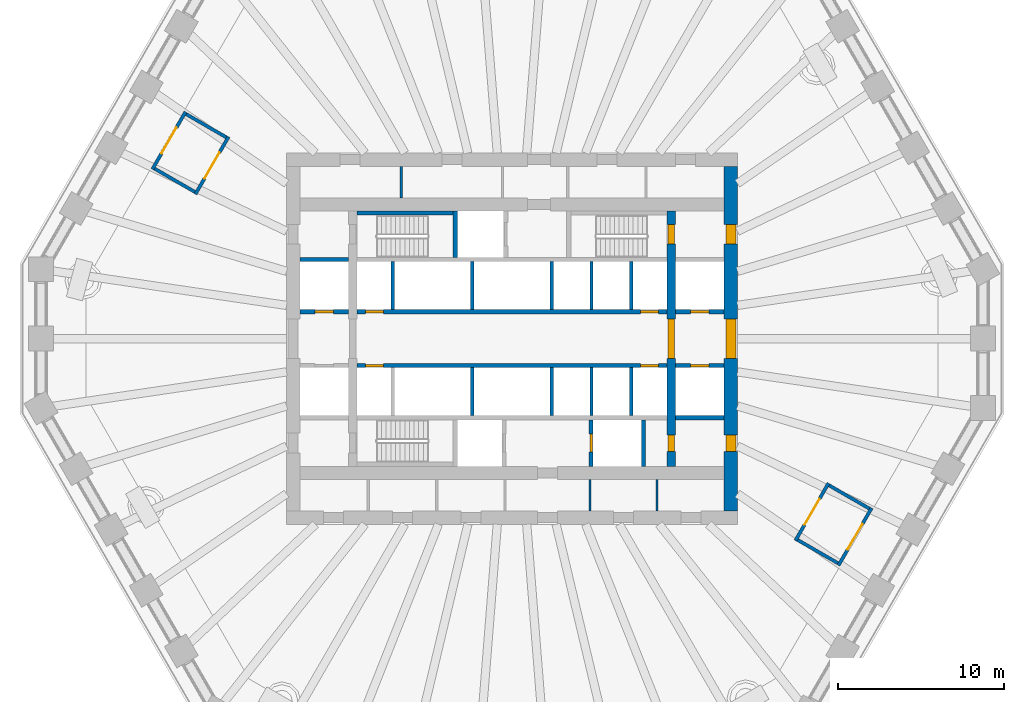
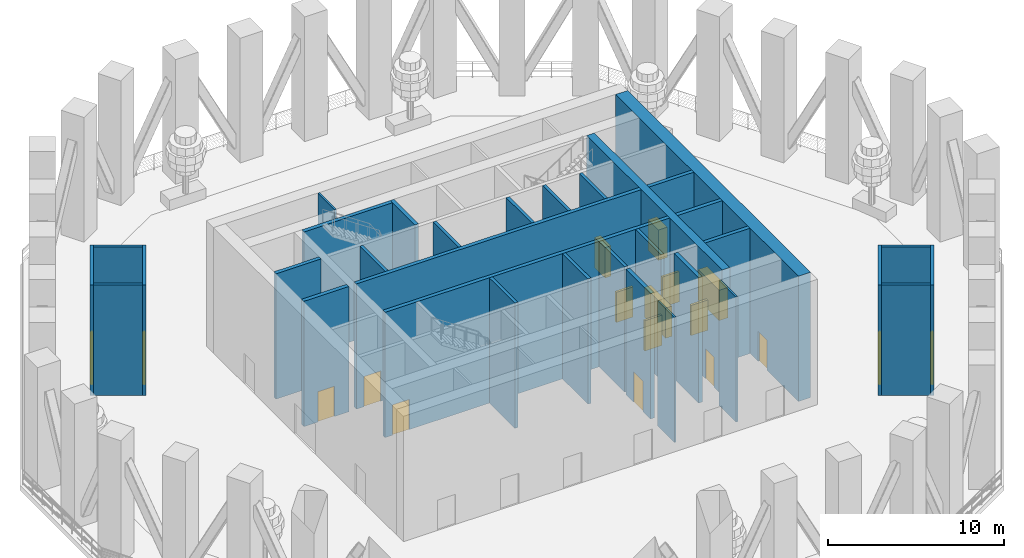
# One storey, part 4 of 10: 33 walls, 18 doors, 18 openings.
"""IFC4 building model written with IfcOpenShell, lengths in metres."""

from ifc_helpers import new_model, si_unit, direction, frame, frame_2d, origin, place, context, subcontext, project, spatial, rectangle, extrude, material, layer, layer_set, type_object, element, fill, save


model = new_model("IFC4")

# Units and contexts
model_context = context("Model", 3, precision=1e-05, world=origin(), true_north=direction((0.0, 1.0)))
body_context = subcontext(model_context, "Body", "Model", "MODEL_VIEW")
ifc_project = project(units=[si_unit("LENGTHUNIT", "METRE"), si_unit("AREAUNIT", "SQUARE_METRE"), si_unit("VOLUMEUNIT", "CUBIC_METRE"), si_unit("PLANEANGLEUNIT", "RADIAN"), si_unit("MASSUNIT", "GRAM", prefix="KILO")], contexts=[model_context])

# Site, building, storey
site_placement = place(None, origin())
site = spatial("IfcSite", under=ifc_project, at=site_placement, CompositionType="ELEMENT")
building_placement = place(site_placement, origin())
building = spatial("IfcBuilding", under=site, at=building_placement, Name="Frailejon Research Tower", CompositionType="ELEMENT")
storey_placement = place(building_placement, frame((0.0, 0.0, 71.800048828125)))
storey = spatial("IfcBuildingStorey", under=building, at=storey_placement, Name="L16", CompositionType="ELEMENT", Elevation=71.800048828125)

# Walls
ifc_material_1 = material(Name="Plasterboard on steel studs", Category="steel")
ifc_layer_1 = layer(ifc_material_1, 0.125)
ifc_layer_set_1 = layer_set([ifc_layer_1], Name="Core partition 125")
wall_type_1 = type_object("IfcWallType", Name="Core partition 125", PredefinedType="PARTITIONING", material=ifc_layer_set_1)
for number, where, z_axis, x_axis, name in (
    (1, (-6.68115234375, 8.5, 0.0), (0.0, 0.0, 1.0), (0.0, 1.0, 0.0), "Core partition"),
    (2, (4.71240234375, -10.39990234375, 0.0), (0.0, 0.0, 1.0), (0.0, 1.0, 0.0), "Core partition"),
    (3, (8.756103515625, -10.39990234375, 0.0), (0.0, 0.0, 1.0), (0.0, 1.0, 0.0), "Core partition"),
):
    element("IfcWall", number, at=place(storey_placement, frame(where, z_axis=z_axis, x_axis=x_axis)), inside=storey, type_object=wall_type_1, Name=name, PredefinedType="PARTITIONING", context=body_context, shape_type="SweptSolid", body=[
        extrude(rectangle(XDim=1.89990234375, YDim=0.125, at=frame_2d((0.949951171875, 0.0))), origin(), (0.0, 0.0, 1.0), 8.699951171875),
    ])

# Wall, openings, doors
ifc_material_2 = material(Name="Concrete C70/85", Category="concrete")
ifc_layer_2 = layer(ifc_material_2, 0.5)
ifc_layer_set_2 = layer_set([ifc_layer_2], Name="Core shear wall 500 C70/85")
wall_type_2 = type_object("IfcWallType", Name="Core shear wall 500 C70/85", PredefinedType="SHEAR", material=ifc_layer_set_2)
wall_1_placement = place(storey_placement, frame((9.60009765625, -7.699951171875, 0.0), z_axis=(0.0, 0.0, 1.0), x_axis=(0.0, 1.0, 0.0)))
wall_1 = element("IfcWall", 4, at=wall_1_placement, inside=storey, type_object=wall_type_2, Name="Core shear wall", PredefinedType="SHEAR", context=body_context, shape_type="SweptSolid", body=[
    extrude(rectangle(XDim=15.39990234375, YDim=0.5, at=frame_2d((7.699951171875, 0.0))), origin(), (0.0, 0.0, 1.0), 8.699951171875),
])
opening_1_placement = place(wall_1_placement, frame((6.5, 0.0, 0.0)))
opening_1 = element("IfcOpeningElement", 5, at=opening_1_placement, cuts=wall_1, Name="Opening D2", PredefinedType="OPENING", context=body_context, shape_type="SweptSolid", body=[
    extrude(rectangle(XDim=2.39990234375, YDim=2.10009765625, at=frame_2d((1.199951171875, 1.050048828125))), frame((0.0, 0.260009765625, 0.0), z_axis=(0.0, -1.0, 0.0), x_axis=(1.0, 0.0, 0.0)), (0.0, 0.0, 1.0), 0.52001953125),
])
opening_2_placement = place(wall_1_placement, frame((13.39990234375, 0.0, 0.0)))
opening_2 = element("IfcOpeningElement", 6, at=opening_2_placement, cuts=wall_1, Name="Opening D1", PredefinedType="OPENING", context=body_context, shape_type="SweptSolid", body=[
    extrude(rectangle(XDim=1.199951171875, YDim=2.10009765625, at=frame_2d((0.60009765625, 1.050048828125))), frame((0.0, 0.260009765625, 0.0), z_axis=(0.0, -1.0, 0.0), x_axis=(1.0, 0.0, 0.0)), (0.0, 0.0, 1.0), 0.52001953125),
])
opening_3_placement = place(wall_1_placement, frame((0.89990234375, 0.0, 0.0)))
opening_3 = element("IfcOpeningElement", 7, at=opening_3_placement, cuts=wall_1, Name="Opening D4", PredefinedType="OPENING", context=body_context, shape_type="SweptSolid", body=[
    extrude(rectangle(XDim=1.0, YDim=2.10009765625, at=frame_2d((0.5, 1.050048828125))), frame((0.0, 0.260009765625, 0.0), z_axis=(0.0, -1.0, 0.0), x_axis=(1.0, 0.0, 0.0)), (0.0, 0.0, 1.0), 0.52001953125),
])
ifc_material_3 = material(Name="Steel", Category="steel")
door_type_1 = type_object("IfcDoorType", Name="Lobby double door", OperationType="DOUBLE_DOOR_SINGLE_SWING", PredefinedType="DOOR", material=ifc_material_3)
door_1_placement = place(opening_1_placement, origin())
door_1 = element("IfcDoor", 8, at=door_1_placement, inside=storey, type_object=door_type_1, Name="Lobby door", OperationType="DOUBLE_DOOR_SINGLE_SWING", OverallHeight=2.10009765625, OverallWidth=2.39990234375, PredefinedType="DOOR", context=body_context, shape_type="SweptSolid", body=[
    extrude(rectangle(XDim=2.39990234375, YDim=2.10009765625, at=frame_2d((1.199951171875, 1.050048828125))), frame((0.0, 0.199951171875, 0.0), z_axis=(0.0, -1.0, 0.0), x_axis=(1.0, 0.0, 0.0)), (0.0, 0.0, 1.0), 0.39990234375),
])
fill(opening_1, door_1)
ifc_material_4 = material(Name="Steel", Category="steel")
door_type_2 = type_object("IfcDoorType", Name="Service door", OperationType="SINGLE_SWING_LEFT", PredefinedType="DOOR", material=ifc_material_4)
door_2_placement = place(opening_3_placement, origin())
door_2 = element("IfcDoor", 9, at=door_2_placement, inside=storey, type_object=door_type_2, Name="Riser door", OperationType="SINGLE_SWING_RIGHT", OverallHeight=2.10009765625, OverallWidth=1.0, PredefinedType="DOOR", context=body_context, shape_type="SweptSolid", body=[
    extrude(rectangle(XDim=1.0, YDim=2.10009765625, at=frame_2d((0.5, 1.050048828125))), frame((0.0, 0.199951171875, 0.0), z_axis=(0.0, -1.0, 0.0), x_axis=(1.0, 0.0, 0.0)), (0.0, 0.0, 1.0), 0.39990234375),
])
fill(opening_3, door_2)
ifc_material_5 = material(Name="Steel", Category="steel")
door_type_3 = type_object("IfcDoorType", Name="Stair door", OperationType="SINGLE_SWING_LEFT", PredefinedType="DOOR", material=ifc_material_5)
door_3_placement = place(opening_2_placement, origin())
door_3 = element("IfcDoor", 10, at=door_3_placement, inside=storey, type_object=door_type_3, Name="Stair door ST3", OperationType="SINGLE_SWING_RIGHT", OverallHeight=2.10009765625, OverallWidth=1.199951171875, PredefinedType="DOOR", context=body_context, shape_type="SweptSolid", body=[
    extrude(rectangle(XDim=1.199951171875, YDim=2.10009765625, at=frame_2d((0.60009765625, 1.050048828125))), frame((0.0, 0.199951171875, 0.0), z_axis=(0.0, -1.0, 0.0), x_axis=(1.0, 0.0, 0.0)), (0.0, 0.0, 1.0), 0.39990234375),
])
fill(opening_2, door_3)

ifc_material_6 = material(Name="Concrete C70/85", Category="concrete")
ifc_layer_3 = layer(ifc_material_6, 0.800048828125)
ifc_layer_set_3 = layer_set([ifc_layer_3], Name="Core shear wall 800 C70/85")
wall_type_3 = type_object("IfcWallType", Name="Core shear wall 800 C70/85", PredefinedType="SHEAR", material=ifc_layer_set_3)
wall_2_placement = place(storey_placement, frame((13.199951171875, -10.39990234375, 0.0), z_axis=(0.0, 0.0, 1.0), x_axis=(0.0, 1.0, 0.0)))
wall_2 = element("IfcWall", 11, at=wall_2_placement, inside=storey, type_object=wall_type_3, Name="Core shear wall", PredefinedType="SHEAR", context=body_context, shape_type="SweptSolid", body=[
    extrude(rectangle(XDim=20.7998046875, YDim=0.800048828125, at=frame_2d((10.39990234375, 0.0))), origin(), (0.0, 0.0, 1.0), 8.699951171875),
])
opening_4_placement = place(wall_2_placement, frame((9.199951171875, 0.0, 0.0)))
opening_4 = element("IfcOpeningElement", 12, at=opening_4_placement, cuts=wall_2, Name="Opening D2", PredefinedType="OPENING", context=body_context, shape_type="SweptSolid", body=[
    extrude(rectangle(XDim=2.39990234375, YDim=2.10009765625, at=frame_2d((1.199951171875, 1.050048828125))), frame((0.0, 0.409912109375, 0.0), z_axis=(0.0, -1.0, 0.0), x_axis=(1.0, 0.0, 0.0)), (0.0, 0.0, 1.0), 0.820068359375),
])
opening_5_placement = place(wall_2_placement, frame((16.10009765625, 0.0, 0.0)))
opening_5 = element("IfcOpeningElement", 13, at=opening_5_placement, cuts=wall_2, Name="Opening D7", PredefinedType="OPENING", context=body_context, shape_type="SweptSolid", body=[
    extrude(rectangle(XDim=1.199951171875, YDim=2.10009765625, at=frame_2d((0.60009765625, 1.050048828125))), frame((0.0, 0.409912109375, 0.0), z_axis=(0.0, -1.0, 0.0), x_axis=(1.0, 0.0, 0.0)), (0.0, 0.0, 1.0), 0.820068359375),
])
opening_6_placement = place(wall_2_placement, frame((3.60009765625, 0.0, 0.0)))
opening_6 = element("IfcOpeningElement", 14, at=opening_6_placement, cuts=wall_2, Name="Opening D4", PredefinedType="OPENING", context=body_context, shape_type="SweptSolid", body=[
    extrude(rectangle(XDim=1.0, YDim=2.10009765625, at=frame_2d((0.5, 1.050048828125))), frame((0.0, 0.409912109375, 0.0), z_axis=(0.0, -1.0, 0.0), x_axis=(1.0, 0.0, 0.0)), (0.0, 0.0, 1.0), 0.820068359375),
])
door_4_placement = place(opening_4_placement, origin())
door_4 = element("IfcDoor", 15, at=door_4_placement, inside=storey, type_object=door_type_1, Name="Lobby door", OperationType="DOUBLE_DOOR_SINGLE_SWING", OverallHeight=2.10009765625, OverallWidth=2.39990234375, PredefinedType="DOOR", context=body_context, shape_type="SweptSolid", body=[
    extrude(rectangle(XDim=2.39990234375, YDim=2.10009765625, at=frame_2d((1.199951171875, 1.050048828125))), frame((0.0, 0.300048828125, 0.0), z_axis=(0.0, -1.0, 0.0), x_axis=(1.0, 0.0, 0.0)), (0.0, 0.0, 1.0), 0.60009765625),
])
fill(opening_4, door_4)
door_5_placement = place(opening_6_placement, origin())
door_5 = element("IfcDoor", 16, at=door_5_placement, inside=storey, type_object=door_type_2, Name="Store door", OperationType="SINGLE_SWING_LEFT", OverallHeight=2.10009765625, OverallWidth=1.0, PredefinedType="DOOR", context=body_context, shape_type="SweptSolid", body=[
    extrude(rectangle(XDim=1.0, YDim=2.10009765625, at=frame_2d((0.5, 1.050048828125))), frame((0.0, 0.300048828125, 0.0), z_axis=(0.0, -1.0, 0.0), x_axis=(1.0, 0.0, 0.0)), (0.0, 0.0, 1.0), 0.60009765625),
])
fill(opening_6, door_5)
ifc_material_7 = material(Name="Steel", Category="steel")
door_type_4 = type_object("IfcDoorType", Name="Stair exit door", OperationType="SINGLE_SWING_LEFT", PredefinedType="DOOR", material=ifc_material_7)
door_6_placement = place(opening_5_placement, origin())
door_6 = element("IfcDoor", 17, at=door_6_placement, inside=storey, type_object=door_type_4, Name="Stair exit door ST3", OperationType="SINGLE_SWING_LEFT", OverallHeight=2.10009765625, OverallWidth=1.199951171875, PredefinedType="DOOR", context=body_context, shape_type="SweptSolid", body=[
    extrude(rectangle(XDim=1.199951171875, YDim=2.10009765625, at=frame_2d((0.60009765625, 1.050048828125))), frame((0.0, 0.300048828125, 0.0), z_axis=(0.0, -1.0, 0.0), x_axis=(1.0, 0.0, 0.0)), (0.0, 0.0, 1.0), 0.60009765625),
])
fill(opening_5, door_6)

# Walls
ifc_material_8 = material(Name="Concrete C70/85", Category="concrete")
ifc_layer_4 = layer(ifc_material_8, 0.199951171875)
ifc_layer_set_4 = layer_set([ifc_layer_4], Name="Shaft wall 200 C70/85")
wall_type_4 = type_object("IfcWallType", Name="Shaft wall 200 C70/85", PredefinedType="SOLIDWALL", material=ifc_layer_set_4)
for number, where, z_axis, x_axis, name in (
    (18, (-7.199951171875, 1.75, 0.0), (0.0, 0.0, 1.0), (0.0, 1.0, 0.0), "Shaft wall"),
    (19, (-2.39990234375, 1.75, 0.0), (0.0, 0.0, 1.0), (0.0, 1.0, 0.0), "Shaft wall"),
    (20, (2.39990234375, 1.75, 0.0), (0.0, 0.0, 1.0), (0.0, 1.0, 0.0), "Shaft wall"),
    (21, (4.800048828125, 1.75, 0.0), (0.0, 0.0, 1.0), (0.0, 1.0, 0.0), "Shaft wall"),
    (22, (7.199951171875, 1.75, 0.0), (0.0, 0.0, 1.0), (0.0, 1.0, 0.0), "Shaft wall"),
    (23, (-2.39990234375, -4.64990234375, 0.0), (0.0, 0.0, 1.0), (0.0, 1.0, 0.0), "Shaft wall"),
    (24, (2.39990234375, -4.64990234375, 0.0), (0.0, 0.0, 1.0), (0.0, 1.0, 0.0), "Shaft wall"),
    (25, (4.800048828125, -4.64990234375, 0.0), (0.0, 0.0, 1.0), (0.0, 1.0, 0.0), "Shaft wall"),
    (26, (7.199951171875, -4.64990234375, 0.0), (0.0, 0.0, 1.0), (0.0, 1.0, 0.0), "Shaft wall"),
):
    element("IfcWall", number, at=place(storey_placement, frame(where, z_axis=z_axis, x_axis=x_axis)), inside=storey, type_object=wall_type_4, Name=name, PredefinedType="SOLIDWALL", context=body_context, shape_type="SweptSolid", body=[
        extrude(rectangle(XDim=2.89990234375, YDim=0.199951171875, at=frame_2d((1.449951171875, 0.0))), origin(), (0.0, 0.0, 1.0), 8.699951171875),
    ])

# Wall, opening, door
ifc_material_9 = material(Name="Concrete C70/85", Category="concrete")
ifc_layer_5 = layer(ifc_material_9, 0.25)
ifc_layer_set_5 = layer_set([ifc_layer_5], Name="Shaft wall 250 C70/85")
wall_type_5 = type_object("IfcWallType", Name="Shaft wall 250 C70/85", PredefinedType="SOLIDWALL", material=ifc_layer_set_5)
wall_3_placement = place(storey_placement, frame((-12.800048828125, 1.625, 0.0), z_axis=(0.0, 0.0, 1.0), x_axis=(1.0, 0.0, 0.0)))
wall_3 = element("IfcWall", 27, at=wall_3_placement, inside=storey, type_object=wall_type_5, Name="Shaft wall", PredefinedType="SOLIDWALL", context=body_context, shape_type="SweptSolid", body=[
    extrude(rectangle(XDim=2.949951171875, YDim=0.25, at=frame_2d((1.47509765625, 0.0))), origin(), (0.0, 0.0, 1.0), 8.699951171875),
])
opening_7_placement = place(wall_3_placement, frame((0.925048828125, 0.0, 0.0)))
opening_7 = element("IfcOpeningElement", 28, at=opening_7_placement, cuts=wall_3, Name="Opening LD", PredefinedType="OPENING", context=body_context, shape_type="SweptSolid", body=[
    extrude(rectangle(XDim=1.10009765625, YDim=2.10009765625, at=frame_2d((0.550048828125, 1.050048828125))), frame((0.0, 0.135009765625, 0.0), z_axis=(0.0, -1.0, 0.0), x_axis=(1.0, 0.0, 0.0)), (0.0, 0.0, 1.0), 0.27001953125),
])
ifc_material_10 = material(Name="Steel", Category="steel")
door_type_5 = type_object("IfcDoorType", Name="Lift landing door", OperationType="DOUBLE_DOOR_SLIDING", PredefinedType="DOOR", material=ifc_material_10)
door_7_placement = place(opening_7_placement, origin())
door_7 = element("IfcDoor", 29, at=door_7_placement, inside=storey, type_object=door_type_5, Name="Lift landing door", OperationType="DOUBLE_DOOR_SLIDING", OverallHeight=2.10009765625, OverallWidth=1.10009765625, PredefinedType="DOOR", context=body_context, shape_type="SweptSolid", body=[
    extrude(rectangle(XDim=1.10009765625, YDim=2.10009765625, at=frame_2d((0.550048828125, 1.050048828125))), frame((0.0, 0.074951171875, 0.0), z_axis=(0.0, -1.0, 0.0), x_axis=(1.0, 0.0, 0.0)), (0.0, 0.0, 1.0), 0.14990234375),
])
fill(opening_7, door_7)

# Wall, openings, doors
wall_4_placement = place(storey_placement, frame((-9.35009765625, 1.625, 0.0), z_axis=(0.0, 0.0, 1.0), x_axis=(1.0, 0.0, 0.0)))
wall_4 = element("IfcWall", 30, at=wall_4_placement, inside=storey, type_object=wall_type_5, Name="Shaft wall", PredefinedType="SOLIDWALL", context=body_context, shape_type="SweptSolid", body=[
    extrude(rectangle(XDim=18.7001953125, YDim=0.25, at=frame_2d((9.35009765625, 0.0))), origin(), (0.0, 0.0, 1.0), 8.699951171875),
])
opening_8_placement = place(wall_4_placement, frame((0.5, 0.0, 0.0)))
opening_8 = element("IfcOpeningElement", 31, at=opening_8_placement, cuts=wall_4, Name="Opening LD", PredefinedType="OPENING", context=body_context, shape_type="SweptSolid", body=[
    extrude(rectangle(XDim=1.10009765625, YDim=2.10009765625, at=frame_2d((0.550048828125, 1.050048828125))), frame((0.0, 0.135009765625, 0.0), z_axis=(0.0, -1.0, 0.0), x_axis=(1.0, 0.0, 0.0)), (0.0, 0.0, 1.0), 0.27001953125),
])
opening_9_placement = place(wall_4_placement, frame((17.10009765625, 0.0, 0.0)))
opening_9 = element("IfcOpeningElement", 32, at=opening_9_placement, cuts=wall_4, Name="Opening LD", PredefinedType="OPENING", context=body_context, shape_type="SweptSolid", body=[
    extrude(rectangle(XDim=1.10009765625, YDim=2.10009765625, at=frame_2d((0.550048828125, 1.050048828125))), frame((0.0, 0.135009765625, 0.0), z_axis=(0.0, -1.0, 0.0), x_axis=(1.0, 0.0, 0.0)), (0.0, 0.0, 1.0), 0.27001953125),
])
door_8_placement = place(opening_8_placement, origin())
door_8 = element("IfcDoor", 33, at=door_8_placement, inside=storey, type_object=door_type_5, Name="Lift landing door", OperationType="DOUBLE_DOOR_SLIDING", OverallHeight=2.10009765625, OverallWidth=1.10009765625, PredefinedType="DOOR", context=body_context, shape_type="SweptSolid", body=[
    extrude(rectangle(XDim=1.10009765625, YDim=2.10009765625, at=frame_2d((0.550048828125, 1.050048828125))), frame((0.0, 0.074951171875, 0.0), z_axis=(0.0, -1.0, 0.0), x_axis=(1.0, 0.0, 0.0)), (0.0, 0.0, 1.0), 0.14990234375),
])
fill(opening_8, door_8)
door_9_placement = place(opening_9_placement, origin())
door_9 = element("IfcDoor", 34, at=door_9_placement, inside=storey, type_object=door_type_5, Name="Lift landing door", OperationType="DOUBLE_DOOR_SLIDING", OverallHeight=2.10009765625, OverallWidth=1.10009765625, PredefinedType="DOOR", context=body_context, shape_type="SweptSolid", body=[
    extrude(rectangle(XDim=1.10009765625, YDim=2.10009765625, at=frame_2d((0.550048828125, 1.050048828125))), frame((0.0, 0.074951171875, 0.0), z_axis=(0.0, -1.0, 0.0), x_axis=(1.0, 0.0, 0.0)), (0.0, 0.0, 1.0), 0.14990234375),
])
fill(opening_9, door_9)

# Wall, opening, door
wall_5_placement = place(storey_placement, frame((9.85009765625, 1.625, 0.0), z_axis=(0.0, 0.0, 1.0), x_axis=(1.0, 0.0, 0.0)))
wall_5 = element("IfcWall", 35, at=wall_5_placement, inside=storey, type_object=wall_type_5, Name="Shaft wall", PredefinedType="SOLIDWALL", context=body_context, shape_type="SweptSolid", body=[
    extrude(rectangle(XDim=2.949951171875, YDim=0.25, at=frame_2d((1.47509765625, 0.0))), origin(), (0.0, 0.0, 1.0), 8.699951171875),
])
opening_10_placement = place(wall_5_placement, frame((0.925048828125, 0.0, 0.0)))
opening_10 = element("IfcOpeningElement", 36, at=opening_10_placement, cuts=wall_5, Name="Opening LD", PredefinedType="OPENING", context=body_context, shape_type="SweptSolid", body=[
    extrude(rectangle(XDim=1.10009765625, YDim=2.10009765625, at=frame_2d((0.550048828125, 1.050048828125))), frame((0.0, 0.135009765625, 0.0), z_axis=(0.0, -1.0, 0.0), x_axis=(1.0, 0.0, 0.0)), (0.0, 0.0, 1.0), 0.27001953125),
])
door_10_placement = place(opening_10_placement, origin())
door_10 = element("IfcDoor", 37, at=door_10_placement, inside=storey, type_object=door_type_5, Name="Lift landing door", OperationType="DOUBLE_DOOR_SLIDING", OverallHeight=2.10009765625, OverallWidth=1.10009765625, PredefinedType="DOOR", context=body_context, shape_type="SweptSolid", body=[
    extrude(rectangle(XDim=1.10009765625, YDim=2.10009765625, at=frame_2d((0.550048828125, 1.050048828125))), frame((0.0, 0.074951171875, 0.0), z_axis=(0.0, -1.0, 0.0), x_axis=(1.0, 0.0, 0.0)), (0.0, 0.0, 1.0), 0.14990234375),
])
fill(opening_10, door_10)

# Wall
wall_6_placement = place(storey_placement, frame((-12.800048828125, 4.77490234375, 0.0), z_axis=(0.0, 0.0, 1.0), x_axis=(1.0, 0.0, 0.0)))
element("IfcWall", 38, at=wall_6_placement, inside=storey, type_object=wall_type_5, Name="Shaft wall", PredefinedType="SOLIDWALL", context=body_context, shape_type="SweptSolid", body=[
    extrude(rectangle(XDim=2.949951171875, YDim=0.25, at=frame_2d((1.47509765625, 0.0))), origin(), (0.0, 0.0, 1.0), 8.699951171875),
])

# Wall, openings, doors
wall_7_placement = place(storey_placement, frame((-9.35009765625, -1.625, 0.0), z_axis=(0.0, 0.0, 1.0), x_axis=(1.0, 0.0, 0.0)))
wall_7 = element("IfcWall", 39, at=wall_7_placement, inside=storey, type_object=wall_type_5, Name="Shaft wall", PredefinedType="SOLIDWALL", context=body_context, shape_type="SweptSolid", body=[
    extrude(rectangle(XDim=18.7001953125, YDim=0.25, at=frame_2d((9.35009765625, 0.0))), origin(), (0.0, 0.0, 1.0), 8.699951171875),
])
opening_11_placement = place(wall_7_placement, frame((0.5, 0.0, 0.0)))
opening_11 = element("IfcOpeningElement", 40, at=opening_11_placement, cuts=wall_7, Name="Opening LD", PredefinedType="OPENING", context=body_context, shape_type="SweptSolid", body=[
    extrude(rectangle(XDim=1.10009765625, YDim=2.10009765625, at=frame_2d((0.550048828125, 1.050048828125))), frame((0.0, 0.135009765625, 0.0), z_axis=(0.0, -1.0, 0.0), x_axis=(1.0, 0.0, 0.0)), (0.0, 0.0, 1.0), 0.27001953125),
])
opening_12_placement = place(wall_7_placement, frame((17.10009765625, 0.0, 0.0)))
opening_12 = element("IfcOpeningElement", 41, at=opening_12_placement, cuts=wall_7, Name="Opening LD", PredefinedType="OPENING", context=body_context, shape_type="SweptSolid", body=[
    extrude(rectangle(XDim=1.10009765625, YDim=2.10009765625, at=frame_2d((0.550048828125, 1.050048828125))), frame((0.0, 0.135009765625, 0.0), z_axis=(0.0, -1.0, 0.0), x_axis=(1.0, 0.0, 0.0)), (0.0, 0.0, 1.0), 0.27001953125),
])
door_11_placement = place(opening_11_placement, origin())
door_11 = element("IfcDoor", 42, at=door_11_placement, inside=storey, type_object=door_type_5, Name="Lift landing door", OperationType="DOUBLE_DOOR_SLIDING", OverallHeight=2.10009765625, OverallWidth=1.10009765625, PredefinedType="DOOR", context=body_context, shape_type="SweptSolid", body=[
    extrude(rectangle(XDim=1.10009765625, YDim=2.10009765625, at=frame_2d((0.550048828125, 1.050048828125))), frame((0.0, 0.074951171875, 0.0), z_axis=(0.0, -1.0, 0.0), x_axis=(1.0, 0.0, 0.0)), (0.0, 0.0, 1.0), 0.14990234375),
])
fill(opening_11, door_11)
door_12_placement = place(opening_12_placement, origin())
door_12 = element("IfcDoor", 43, at=door_12_placement, inside=storey, type_object=door_type_5, Name="Lift landing door", OperationType="DOUBLE_DOOR_SLIDING", OverallHeight=2.10009765625, OverallWidth=1.10009765625, PredefinedType="DOOR", context=body_context, shape_type="SweptSolid", body=[
    extrude(rectangle(XDim=1.10009765625, YDim=2.10009765625, at=frame_2d((0.550048828125, 1.050048828125))), frame((0.0, 0.074951171875, 0.0), z_axis=(0.0, -1.0, 0.0), x_axis=(1.0, 0.0, 0.0)), (0.0, 0.0, 1.0), 0.14990234375),
])
fill(opening_12, door_12)

# Wall, opening, door
wall_8_placement = place(storey_placement, frame((9.85009765625, -1.625, 0.0), z_axis=(0.0, 0.0, 1.0), x_axis=(1.0, 0.0, 0.0)))
wall_8 = element("IfcWall", 44, at=wall_8_placement, inside=storey, type_object=wall_type_5, Name="Shaft wall", PredefinedType="SOLIDWALL", context=body_context, shape_type="SweptSolid", body=[
    extrude(rectangle(XDim=2.949951171875, YDim=0.25, at=frame_2d((1.47509765625, 0.0))), origin(), (0.0, 0.0, 1.0), 8.699951171875),
])
opening_13_placement = place(wall_8_placement, frame((0.925048828125, 0.0, 0.0)))
opening_13 = element("IfcOpeningElement", 45, at=opening_13_placement, cuts=wall_8, Name="Opening LD", PredefinedType="OPENING", context=body_context, shape_type="SweptSolid", body=[
    extrude(rectangle(XDim=1.10009765625, YDim=2.10009765625, at=frame_2d((0.550048828125, 1.050048828125))), frame((0.0, 0.135009765625, 0.0), z_axis=(0.0, -1.0, 0.0), x_axis=(1.0, 0.0, 0.0)), (0.0, 0.0, 1.0), 0.27001953125),
])
door_13_placement = place(opening_13_placement, origin())
door_13 = element("IfcDoor", 46, at=door_13_placement, inside=storey, type_object=door_type_5, Name="Lift landing door", OperationType="DOUBLE_DOOR_SLIDING", OverallHeight=2.10009765625, OverallWidth=1.10009765625, PredefinedType="DOOR", context=body_context, shape_type="SweptSolid", body=[
    extrude(rectangle(XDim=1.10009765625, YDim=2.10009765625, at=frame_2d((0.550048828125, 1.050048828125))), frame((0.0, 0.074951171875, 0.0), z_axis=(0.0, -1.0, 0.0), x_axis=(1.0, 0.0, 0.0)), (0.0, 0.0, 1.0), 0.14990234375),
])
fill(opening_13, door_13)

# Walls
wall_9_placement = place(storey_placement, frame((9.85009765625, -4.77490234375, 0.0), z_axis=(0.0, 0.0, 1.0), x_axis=(1.0, 0.0, 0.0)))
element("IfcWall", 47, at=wall_9_placement, inside=storey, type_object=wall_type_5, Name="Shaft wall", PredefinedType="SOLIDWALL", context=body_context, shape_type="SweptSolid", body=[
    extrude(rectangle(XDim=2.949951171875, YDim=0.25, at=frame_2d((1.47509765625, 0.0))), origin(), (0.0, 0.0, 1.0), 8.699951171875),
])
wall_10_placement = place(storey_placement, frame((-9.35009765625, 7.574951171875, 0.0), z_axis=(0.0, 0.0, 1.0), x_axis=(1.0, 0.0, 0.0)))
element("IfcWall", 48, at=wall_10_placement, inside=storey, type_object=wall_type_5, Name="Shaft wall", PredefinedType="SOLIDWALL", context=body_context, shape_type="SweptSolid", body=[
    extrude(rectangle(XDim=5.800048828125, YDim=0.25, at=frame_2d((2.89990234375, 0.0))), origin(), (0.0, 0.0, 1.0), 8.699951171875),
])
wall_11_placement = place(storey_placement, frame((-3.425048828125, 4.89990234375, 0.0), z_axis=(0.0, 0.0, 1.0), x_axis=(0.0, 1.0, 0.0)))
element("IfcWall", 49, at=wall_11_placement, inside=storey, type_object=wall_type_5, Name="Shaft wall", PredefinedType="SOLIDWALL", context=body_context, shape_type="SweptSolid", body=[
    extrude(rectangle(XDim=2.800048828125, YDim=0.25, at=frame_2d((1.39990234375, 0.0))), origin(), (0.0, 0.0, 1.0), 8.699951171875),
])

# Wall, opening, door
wall_12_placement = place(storey_placement, frame((4.77490234375, -7.699951171875, 0.0), z_axis=(0.0, 0.0, 1.0), x_axis=(0.0, 1.0, 0.0)))
wall_12 = element("IfcWall", 50, at=wall_12_placement, inside=storey, type_object=wall_type_5, Name="Shaft wall", PredefinedType="SOLIDWALL", context=body_context, shape_type="SweptSolid", body=[
    extrude(rectangle(XDim=2.800048828125, YDim=0.25, at=frame_2d((1.39990234375, 0.0))), origin(), (0.0, 0.0, 1.0), 8.699951171875),
])
opening_14_placement = place(wall_12_placement, frame((0.85009765625, 0.0, 0.0)))
opening_14 = element("IfcOpeningElement", 51, at=opening_14_placement, cuts=wall_12, Name="Opening LD", PredefinedType="OPENING", context=body_context, shape_type="SweptSolid", body=[
    extrude(rectangle(XDim=1.10009765625, YDim=2.10009765625, at=frame_2d((0.550048828125, 1.050048828125))), frame((0.0, 0.135009765625, 0.0), z_axis=(0.0, -1.0, 0.0), x_axis=(1.0, 0.0, 0.0)), (0.0, 0.0, 1.0), 0.27001953125),
])
door_14_placement = place(opening_14_placement, origin())
door_14 = element("IfcDoor", 52, at=door_14_placement, inside=storey, type_object=door_type_5, Name="Lift landing door", OperationType="DOUBLE_DOOR_SLIDING", OverallHeight=2.10009765625, OverallWidth=1.10009765625, PredefinedType="DOOR", context=body_context, shape_type="SweptSolid", body=[
    extrude(rectangle(XDim=1.10009765625, YDim=2.10009765625, at=frame_2d((0.550048828125, 1.050048828125))), frame((0.0, 0.074951171875, 0.0), z_axis=(0.0, -1.0, 0.0), x_axis=(1.0, 0.0, 0.0)), (0.0, 0.0, 1.0), 0.14990234375),
])
fill(opening_14, door_14)

# Wall
wall_13_placement = place(storey_placement, frame((7.925048828125, -7.699951171875, 0.0), z_axis=(0.0, 0.0, 1.0), x_axis=(0.0, 1.0, 0.0)))
element("IfcWall", 53, at=wall_13_placement, inside=storey, type_object=wall_type_5, Name="Shaft wall", PredefinedType="SOLIDWALL", context=body_context, shape_type="SweptSolid", body=[
    extrude(rectangle(XDim=2.800048828125, YDim=0.25, at=frame_2d((1.39990234375, 0.0))), origin(), (0.0, 0.0, 1.0), 8.699951171875),
])

# Wall, opening, door
ifc_material_11 = material(Name="Concrete C40/50 precast window wall panel", Category="concrete")
ifc_layer_6 = layer(ifc_material_11, 0.199951171875)
ifc_layer_set_6 = layer_set([ifc_layer_6], Name="Window wall 200")
wall_type_6 = type_object("IfcWallType", Name="Window wall 200", PredefinedType="SOLIDWALL", material=ifc_layer_set_6)
wall_14_placement = place(storey_placement, frame((-19.697998046875, 13.68212890625, 0.0), z_axis=(0.0, 0.0, 1.0), x_axis=(-0.49999894854, -0.866026010844, 0.0)))
wall_14 = element("IfcWall", 54, at=wall_14_placement, inside=storey, type_object=wall_type_6, Name="Terrace lobby wall L16", PredefinedType="SOLIDWALL", context=body_context, shape_type="SweptSolid", body=[
    extrude(rectangle(XDim=4.0, YDim=0.199951171875, at=frame_2d((2.0, 0.0))), origin(), (0.0, 0.0, 1.0), 7.64990234375),
])
opening_15_placement = place(wall_14_placement, frame((1.10009765625, 0.0, 0.0)))
opening_15 = element("IfcOpeningElement", 55, at=opening_15_placement, cuts=wall_14, Name="Opening WT16-1", PredefinedType="OPENING", context=body_context, shape_type="SweptSolid", body=[
    extrude(rectangle(XDim=1.800048828125, YDim=2.39990234375, at=frame_2d((0.89990234375, 1.199951171875))), frame((0.0, 0.10986328125, 0.0), z_axis=(0.0, -1.0, 0.0), x_axis=(1.0, 0.0, 0.0)), (0.0, 0.0, 1.0), 0.219970703125),
])
ifc_material_12 = material(Name="Aluminium framed glazed door leaf", Category="aluminium")
door_type_6 = type_object("IfcDoorType", Name="Terrace door 1800x2400", OperationType="DOUBLE_DOOR_SINGLE_SWING", PredefinedType="DOOR", material=ifc_material_12)
door_15_placement = place(opening_15_placement, origin())
door_15 = element("IfcDoor", 56, at=door_15_placement, inside=storey, type_object=door_type_6, Name="Door WT16-1", OperationType="DOUBLE_DOOR_SINGLE_SWING", OverallHeight=2.39990234375, OverallWidth=1.800048828125, PredefinedType="DOOR", context=body_context, shape_type="SweptSolid", body=[
    extrude(rectangle(XDim=1.800048828125, YDim=2.39990234375, at=frame_2d((0.89990234375, 1.199951171875))), frame((0.0, 0.02490234375, 0.0), z_axis=(0.0, -1.0, 0.0), x_axis=(1.0, 0.0, 0.0)), (0.0, 0.0, 1.0), 0.050048828125),
])
fill(opening_15, door_15)

# Walls
wall_15_placement = place(storey_placement, frame((-19.661376953125, 13.54541015625, 0.0), z_axis=(0.0, 0.0, 1.0), x_axis=(0.866034573852, -0.49998411664, 0.0)))
element("IfcWall", 57, at=wall_15_placement, inside=storey, type_object=wall_type_6, Name="Terrace lobby wall L16", PredefinedType="SOLIDWALL", context=body_context, shape_type="SweptSolid", body=[
    extrude(rectangle(XDim=2.7998046875, YDim=0.199951171875, at=frame_2d((1.39990234375, 0.0))), origin(), (0.0, 0.0, 1.0), 7.64990234375),
])
wall_16_placement = place(storey_placement, frame((-21.561279296875, 10.254638671875, 0.0), z_axis=(0.0, 0.0, 1.0), x_axis=(0.865996816683, -0.500049511043, 0.0)))
element("IfcWall", 58, at=wall_16_placement, inside=storey, type_object=wall_type_6, Name="Terrace lobby wall L16", PredefinedType="SOLIDWALL", context=body_context, shape_type="SweptSolid", body=[
    extrude(rectangle(XDim=2.800048828125, YDim=0.199951171875, at=frame_2d((1.39990234375, 0.0))), origin(), (0.0, 0.0, 1.0), 7.64990234375),
])

# Wall, opening, door
wall_17_placement = place(storey_placement, frame((-17.099853515625, 12.18212890625, 0.0), z_axis=(0.0, 0.0, 1.0), x_axis=(-0.49999894854, -0.866026010844, 0.0)))
wall_17 = element("IfcWall", 59, at=wall_17_placement, inside=storey, type_object=wall_type_6, Name="Terrace lobby wall L16", PredefinedType="SOLIDWALL", context=body_context, shape_type="SweptSolid", body=[
    extrude(rectangle(XDim=4.0, YDim=0.199951171875, at=frame_2d((2.0, 0.0))), origin(), (0.0, 0.0, 1.0), 7.64990234375),
])
opening_16_placement = place(wall_17_placement, frame((1.10009765625, 0.0, 0.0)))
opening_16 = element("IfcOpeningElement", 60, at=opening_16_placement, cuts=wall_17, Name="Opening WT16-1A", PredefinedType="OPENING", context=body_context, shape_type="SweptSolid", body=[
    extrude(rectangle(XDim=1.800048828125, YDim=2.39990234375, at=frame_2d((0.89990234375, 1.199951171875))), frame((0.0, 0.10986328125, 0.0), z_axis=(0.0, -1.0, 0.0), x_axis=(1.0, 0.0, 0.0)), (0.0, 0.0, 1.0), 0.219970703125),
])
door_16_placement = place(opening_16_placement, origin())
door_16 = element("IfcDoor", 61, at=door_16_placement, inside=storey, type_object=door_type_6, Name="Door WT16-1A", OperationType="DOUBLE_DOOR_SINGLE_SWING", OverallHeight=2.39990234375, OverallWidth=1.800048828125, PredefinedType="DOOR", context=body_context, shape_type="SweptSolid", body=[
    extrude(rectangle(XDim=1.800048828125, YDim=2.39990234375, at=frame_2d((0.89990234375, 1.199951171875))), frame((0.0, 0.02490234375, 0.0), z_axis=(0.0, -1.0, 0.0), x_axis=(1.0, 0.0, 0.0)), (0.0, 0.0, 1.0), 0.050048828125),
])
fill(opening_16, door_16)

wall_18_placement = place(storey_placement, frame((19.697998046875, -13.68212890625, 0.0), z_axis=(0.0, 0.0, 1.0), x_axis=(0.49999894854, 0.866026010844, 0.0)))
wall_18 = element("IfcWall", 62, at=wall_18_placement, inside=storey, type_object=wall_type_6, Name="Terrace lobby wall L16", PredefinedType="SOLIDWALL", context=body_context, shape_type="SweptSolid", body=[
    extrude(rectangle(XDim=4.0, YDim=0.199951171875, at=frame_2d((2.0, 0.0))), origin(), (0.0, 0.0, 1.0), 7.64990234375),
])
opening_17_placement = place(wall_18_placement, frame((1.10009765625, 0.0, 0.0)))
opening_17 = element("IfcOpeningElement", 63, at=opening_17_placement, cuts=wall_18, Name="Opening WT16-2", PredefinedType="OPENING", context=body_context, shape_type="SweptSolid", body=[
    extrude(rectangle(XDim=1.800048828125, YDim=2.39990234375, at=frame_2d((0.89990234375, 1.199951171875))), frame((0.0, 0.10986328125, 0.0), z_axis=(0.0, -1.0, 0.0), x_axis=(1.0, 0.0, 0.0)), (0.0, 0.0, 1.0), 0.219970703125),
])
door_17_placement = place(opening_17_placement, origin())
door_17 = element("IfcDoor", 64, at=door_17_placement, inside=storey, type_object=door_type_6, Name="Door WT16-2", OperationType="DOUBLE_DOOR_SINGLE_SWING", OverallHeight=2.39990234375, OverallWidth=1.800048828125, PredefinedType="DOOR", context=body_context, shape_type="SweptSolid", body=[
    extrude(rectangle(XDim=1.800048828125, YDim=2.39990234375, at=frame_2d((0.89990234375, 1.199951171875))), frame((0.0, 0.02490234375, 0.0), z_axis=(0.0, -1.0, 0.0), x_axis=(1.0, 0.0, 0.0)), (0.0, 0.0, 1.0), 0.050048828125),
])
fill(opening_17, door_17)

# Walls
wall_19_placement = place(storey_placement, frame((19.661376953125, -13.54541015625, 0.0), z_axis=(0.0, 0.0, 1.0), x_axis=(-0.866034573852, 0.49998411664, 0.0)))
element("IfcWall", 65, at=wall_19_placement, inside=storey, type_object=wall_type_6, Name="Terrace lobby wall L16", PredefinedType="SOLIDWALL", context=body_context, shape_type="SweptSolid", body=[
    extrude(rectangle(XDim=2.7998046875, YDim=0.199951171875, at=frame_2d((1.39990234375, 0.0))), origin(), (0.0, 0.0, 1.0), 7.64990234375),
])
wall_20_placement = place(storey_placement, frame((21.561279296875, -10.254638671875, 0.0), z_axis=(0.0, 0.0, 1.0), x_axis=(-0.865996816683, 0.500049511043, 0.0)))
element("IfcWall", 66, at=wall_20_placement, inside=storey, type_object=wall_type_6, Name="Terrace lobby wall L16", PredefinedType="SOLIDWALL", context=body_context, shape_type="SweptSolid", body=[
    extrude(rectangle(XDim=2.800048828125, YDim=0.199951171875, at=frame_2d((1.39990234375, 0.0))), origin(), (0.0, 0.0, 1.0), 7.64990234375),
])

# Wall, opening, door
wall_21_placement = place(storey_placement, frame((17.099853515625, -12.18212890625, 0.0), z_axis=(0.0, 0.0, 1.0), x_axis=(0.49999894854, 0.866026010844, 0.0)))
wall_21 = element("IfcWall", 67, at=wall_21_placement, inside=storey, type_object=wall_type_6, Name="Terrace lobby wall L16", PredefinedType="SOLIDWALL", context=body_context, shape_type="SweptSolid", body=[
    extrude(rectangle(XDim=4.0, YDim=0.199951171875, at=frame_2d((2.0, 0.0))), origin(), (0.0, 0.0, 1.0), 7.64990234375),
])
opening_18_placement = place(wall_21_placement, frame((1.10009765625, 0.0, 0.0)))
opening_18 = element("IfcOpeningElement", 68, at=opening_18_placement, cuts=wall_21, Name="Opening WT16-2A", PredefinedType="OPENING", context=body_context, shape_type="SweptSolid", body=[
    extrude(rectangle(XDim=1.800048828125, YDim=2.39990234375, at=frame_2d((0.89990234375, 1.199951171875))), frame((0.0, 0.10986328125, 0.0), z_axis=(0.0, -1.0, 0.0), x_axis=(1.0, 0.0, 0.0)), (0.0, 0.0, 1.0), 0.219970703125),
])
door_18_placement = place(opening_18_placement, origin())
door_18 = element("IfcDoor", 69, at=door_18_placement, inside=storey, type_object=door_type_6, Name="Door WT16-2A", OperationType="DOUBLE_DOOR_SINGLE_SWING", OverallHeight=2.39990234375, OverallWidth=1.800048828125, PredefinedType="DOOR", context=body_context, shape_type="SweptSolid", body=[
    extrude(rectangle(XDim=1.800048828125, YDim=2.39990234375, at=frame_2d((0.89990234375, 1.199951171875))), frame((0.0, 0.02490234375, 0.0), z_axis=(0.0, -1.0, 0.0), x_axis=(1.0, 0.0, 0.0)), (0.0, 0.0, 1.0), 0.050048828125),
])
fill(opening_18, door_18)

save(model, "model.ifc")
